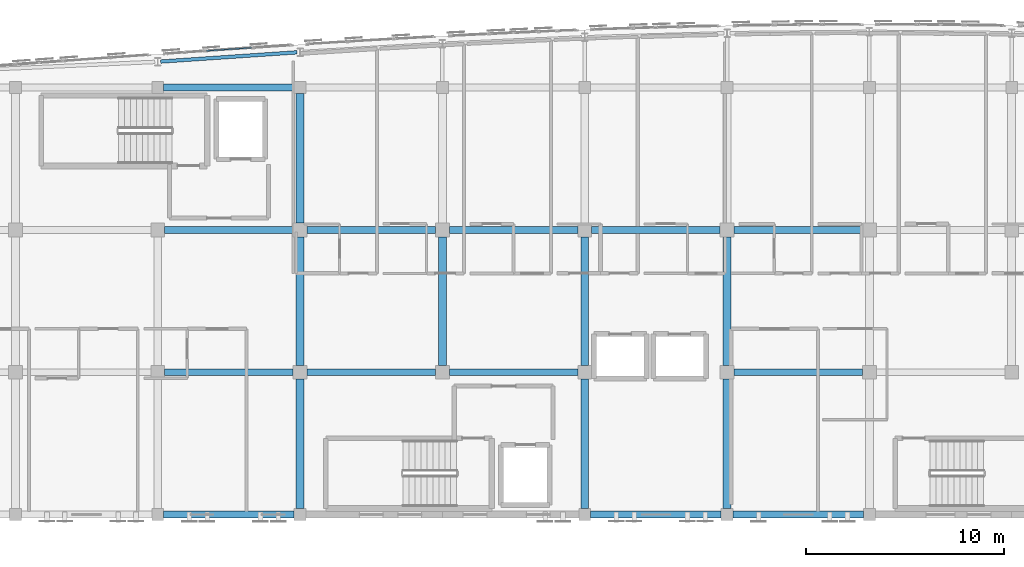
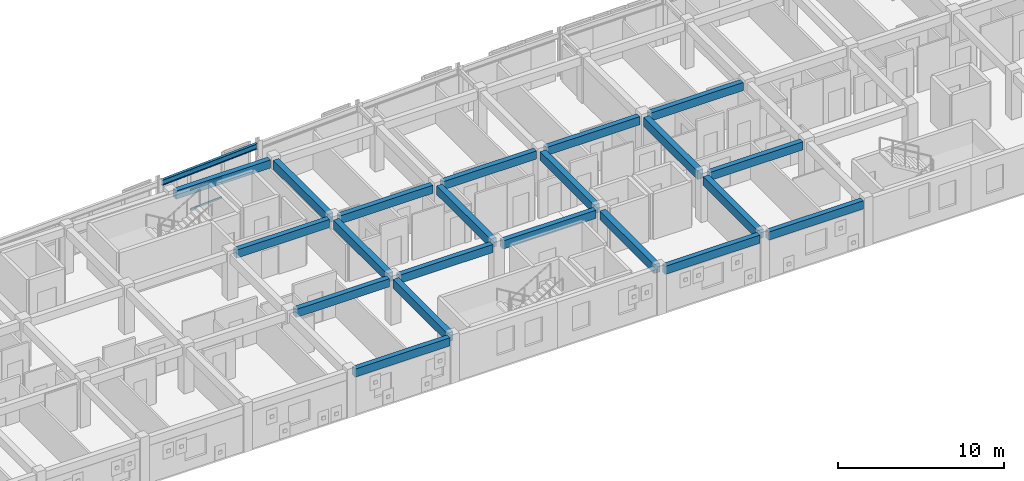
# One storey, part 10 of 48: 22 beams, 3 members, 1 element without a shape of its own.
"""IFC4 building model written with IfcOpenShell, lengths in metres."""

from ifc_helpers import new_model, si_unit, direction, frame, origin, origin_2d, place, context, subcontext, project, spatial, rectangle, hollow_rectangle, i_section, extrude, material, layer, layer_set, material_profile, profile_set, type_object, element, aggregate, save


model = new_model("IFC4")

# Units and contexts
model_context = context("Model", 3, precision=1e-05, world=origin(), true_north=direction((0.0, 1.0)))
body_context = subcontext(model_context, "Body", "Model", "MODEL_VIEW")
ifc_project = project(units=[si_unit("LENGTHUNIT", "METRE"), si_unit("AREAUNIT", "SQUARE_METRE"), si_unit("VOLUMEUNIT", "CUBIC_METRE"), si_unit("PLANEANGLEUNIT", "RADIAN"), si_unit("MASSUNIT", "GRAM", prefix="KILO")], contexts=[model_context])

# Site, building, storey
site_placement = place(None, origin())
site = spatial("IfcSite", under=ifc_project, at=site_placement, CompositionType="ELEMENT")
building_placement = place(site_placement, origin())
building = spatial("IfcBuilding", under=site, at=building_placement, Name="Carrowvane Square Congress Hotel", CompositionType="ELEMENT")
storey_placement = place(building_placement, frame((0.0, 0.0, 26.39990234375)))
storey = spatial("IfcBuildingStorey", under=building, at=storey_placement, Name="L06", CompositionType="ELEMENT", Elevation=26.39990234375)

# Beams
ifc_material_1 = material(Name="Concrete C35/45", Category="concrete")
ifc_material_profile_1 = material_profile(ifc_material_1, rectangle(XDim=0.35009765625, YDim=0.60009765625, at=origin_2d()), Name="RC 350x600")
ifc_profile_set_1 = profile_set([ifc_material_profile_1], Name="Concrete C35/45")
beam_type_1 = type_object("IfcBeamType", Name="BM-RC-350x600", PredefinedType="BEAM", material=ifc_profile_set_1)
beam_1_placement = place(storey_placement, frame((62.300048828125, 91.800048828125, 3.050048828125), z_axis=(1.0, 0.0, 0.0), x_axis=(0.0, 1.0, 0.0)))
element("IfcBeam", 1, at=beam_1_placement, inside=storey, type_object=beam_type_1, Name="L07 girder N/8-9", PredefinedType="BEAM", context=body_context, shape_type="SweptSolid", body=[
    extrude(rectangle(XDim=0.35009765625, YDim=0.60009765625, at=origin_2d()), origin(), (0.0, 0.0, 1.0), 6.599853515625),
])
beam_2_placement = place(storey_placement, frame((83.89990234375, 91.800048828125, 3.050048828125), z_axis=(1.0, 0.0, 0.0), x_axis=(0.0, 1.0, 0.0)))
element("IfcBeam", 2, at=beam_2_placement, inside=storey, type_object=beam_type_1, Name="L07 girder N/11-12", PredefinedType="BEAM", context=body_context, shape_type="SweptSolid", body=[
    extrude(rectangle(XDim=0.35009765625, YDim=0.60009765625, at=origin_2d()), origin(), (0.0, 0.0, 1.0), 6.60009765625),
])
beam_3_placement = place(storey_placement, frame((91.10009765625, 91.800048828125, 3.050048828125), z_axis=(1.0, 0.0, 0.0), x_axis=(0.0, 1.0, 0.0)))
element("IfcBeam", 3, at=beam_3_placement, inside=storey, type_object=beam_type_1, Name="L07 girder N/12-13", PredefinedType="BEAM", context=body_context, shape_type="SweptSolid", body=[
    extrude(rectangle(XDim=0.35009765625, YDim=0.60009765625, at=origin_2d()), origin(), (0.0, 0.0, 1.0), 6.599853515625),
])
for number, where, z_axis, x_axis, name in (
    (4, (62.35009765625, 99.0, 3.050048828125), (1.0, 0.0, 0.0), (0.0, 1.0, 0.0), "L07 girder P/8-9"),
    (5, (69.550048828125, 99.0, 3.050048828125), (1.0, 0.0, 0.0), (0.0, 1.0, 0.0), "L07 girder P/9-10"),
    (6, (76.75, 99.0, 3.050048828125), (1.0, 0.0, 0.0), (0.0, 1.0, 0.0), "L07 girder P/10-11"),
    (7, (91.14990234375, 99.0, 3.050048828125), (1.0, 0.0, 0.0), (0.0, 1.0, 0.0), "L07 girder P/12-13"),
    (8, (62.35009765625, 106.199951171875, 3.050048828125), (1.0, 0.0, 0.0), (0.0, 1.0, 0.0), "L07 girder Q/8-9"),
    (9, (69.550048828125, 106.199951171875, 3.050048828125), (1.0, 0.0, 0.0), (0.0, 1.0, 0.0), "L07 girder Q/9-10"),
    (10, (76.75, 106.199951171875, 3.050048828125), (1.0, 0.0, 0.0), (0.0, 1.0, 0.0), "L07 girder Q/10-11"),
    (11, (83.949951171875, 106.199951171875, 3.050048828125), (1.0, 0.0, 0.0), (0.0, 1.0, 0.0), "L07 girder Q/11-12"),
    (12, (91.14990234375, 106.199951171875, 3.050048828125), (1.0, 0.0, 0.0), (0.0, 1.0, 0.0), "L07 girder Q/12-13"),
):
    element("IfcBeam", number, at=place(storey_placement, frame(where, z_axis=z_axis, x_axis=x_axis)), inside=storey, type_object=beam_type_1, Name=name, PredefinedType="BEAM", context=body_context, shape_type="SweptSolid", body=[
        extrude(rectangle(XDim=0.35009765625, YDim=0.60009765625, at=origin_2d()), origin(), (0.0, 0.0, 1.0), 6.5),
    ])
beam_4_placement = place(storey_placement, frame((62.300048828125, 113.39990234375, 3.050048828125), z_axis=(1.0, 0.0, 0.0), x_axis=(0.0, 1.0, 0.0)))
element("IfcBeam", 13, at=beam_4_placement, inside=storey, type_object=beam_type_1, Name="L07 girder R/8-9", PredefinedType="BEAM", context=body_context, shape_type="SweptSolid", body=[
    extrude(rectangle(XDim=0.35009765625, YDim=0.60009765625, at=origin_2d()), origin(), (0.0, 0.0, 1.0), 6.599853515625),
])
ifc_material_2 = material(Name="Concrete C35/45", Category="concrete")
ifc_material_profile_2 = material_profile(ifc_material_2, rectangle(XDim=0.39990234375, YDim=0.64990234375, at=origin_2d()), Name="RC 400x650")
ifc_profile_set_2 = profile_set([ifc_material_profile_2], Name="Concrete C35/45")
beam_type_2 = type_object("IfcBeamType", Name="BM-RC-400x650", PredefinedType="BEAM", material=ifc_profile_set_2)
beam_5_placement = place(storey_placement, frame((69.199951171875, 92.10009765625, 3.025146484375), z_axis=(0.0, 1.0, 0.0), x_axis=(-1.0, 0.0, 0.0)))
element("IfcBeam", 14, at=beam_5_placement, inside=storey, type_object=beam_type_2, Name="L07 girder 9/N-P", PredefinedType="BEAM", context=body_context, shape_type="SweptSolid", body=[
    extrude(rectangle(XDim=0.39990234375, YDim=0.64990234375, at=origin_2d()), origin(), (0.0, 0.0, 1.0), 6.5498046875),
])
beam_6_placement = place(storey_placement, frame((69.199951171875, 99.35009765625, 3.025146484375), z_axis=(0.0, 1.0, 0.0), x_axis=(-1.0, 0.0, 0.0)))
element("IfcBeam", 15, at=beam_6_placement, inside=storey, type_object=beam_type_2, Name="L07 girder 9/P-Q", PredefinedType="BEAM", context=body_context, shape_type="SweptSolid", body=[
    extrude(rectangle(XDim=0.39990234375, YDim=0.64990234375, at=origin_2d()), origin(), (0.0, 0.0, 1.0), 6.5),
])
beam_7_placement = place(storey_placement, frame((69.199951171875, 106.550048828125, 3.025146484375), z_axis=(0.0, 1.0, 0.0), x_axis=(-1.0, 0.0, 0.0)))
element("IfcBeam", 16, at=beam_7_placement, inside=storey, type_object=beam_type_2, Name="L07 girder 9/Q-R", PredefinedType="BEAM", context=body_context, shape_type="SweptSolid", body=[
    extrude(rectangle(XDim=0.39990234375, YDim=0.64990234375, at=origin_2d()), origin(), (0.0, 0.0, 1.0), 6.550048828125),
])
beam_8_placement = place(storey_placement, frame((76.39990234375, 99.35009765625, 3.025146484375), z_axis=(0.0, 1.0, 0.0), x_axis=(-1.0, 0.0, 0.0)))
element("IfcBeam", 17, at=beam_8_placement, inside=storey, type_object=beam_type_2, Name="L07 girder 10/P-Q", PredefinedType="BEAM", context=body_context, shape_type="SweptSolid", body=[
    extrude(rectangle(XDim=0.39990234375, YDim=0.64990234375, at=origin_2d()), origin(), (0.0, 0.0, 1.0), 6.5),
])
beam_9_placement = place(storey_placement, frame((83.60009765625, 92.10009765625, 3.025146484375), z_axis=(0.0, 1.0, 0.0), x_axis=(-1.0, 0.0, 0.0)))
element("IfcBeam", 18, at=beam_9_placement, inside=storey, type_object=beam_type_2, Name="L07 girder 11/N-P", PredefinedType="BEAM", context=body_context, shape_type="SweptSolid", body=[
    extrude(rectangle(XDim=0.39990234375, YDim=0.64990234375, at=origin_2d()), origin(), (0.0, 0.0, 1.0), 6.5498046875),
])
beam_10_placement = place(storey_placement, frame((83.60009765625, 99.35009765625, 3.025146484375), z_axis=(0.0, 1.0, 0.0), x_axis=(-1.0, 0.0, 0.0)))
element("IfcBeam", 19, at=beam_10_placement, inside=storey, type_object=beam_type_2, Name="L07 girder 11/P-Q", PredefinedType="BEAM", context=body_context, shape_type="SweptSolid", body=[
    extrude(rectangle(XDim=0.39990234375, YDim=0.64990234375, at=origin_2d()), origin(), (0.0, 0.0, 1.0), 6.5),
])
beam_11_placement = place(storey_placement, frame((90.800048828125, 92.10009765625, 3.025146484375), z_axis=(0.0, 1.0, 0.0), x_axis=(-1.0, 0.0, 0.0)))
element("IfcBeam", 20, at=beam_11_placement, inside=storey, type_object=beam_type_2, Name="L07 girder 12/N-P", PredefinedType="BEAM", context=body_context, shape_type="SweptSolid", body=[
    extrude(rectangle(XDim=0.39990234375, YDim=0.64990234375, at=origin_2d()), origin(), (0.0, 0.0, 1.0), 6.5498046875),
])
beam_12_placement = place(storey_placement, frame((90.800048828125, 99.35009765625, 3.025146484375), z_axis=(0.0, 1.0, 0.0), x_axis=(-1.0, 0.0, 0.0)))
element("IfcBeam", 21, at=beam_12_placement, inside=storey, type_object=beam_type_2, Name="L07 girder 12/P-Q", PredefinedType="BEAM", context=body_context, shape_type="SweptSolid", body=[
    extrude(rectangle(XDim=0.39990234375, YDim=0.64990234375, at=origin_2d()), origin(), (0.0, 0.0, 1.0), 6.5),
])
ifc_material_3 = material(Name="Steel S355", Category="steel")
ifc_material_profile_3 = material_profile(ifc_material_3, i_section(OverallWidth=0.1787109375, OverallDepth=0.409423828125, WebThickness=0.0087890625, FlangeThickness=0.014404296875, FilletRadius=0.01025390625, at=origin_2d()), Name="UKB 406x178x67")
ifc_profile_set_3 = profile_set([ifc_material_profile_3], Name="Steel S355")
beam_type_3 = type_object("IfcBeamType", Name="BM-ST-UKB406", PredefinedType="BEAM", material=ifc_profile_set_3)
beam_13_placement = place(storey_placement, frame((62.149658203125, 114.716064453125, 3.1455078125), z_axis=(0.997707965639, 0.067666943928, 0.0), x_axis=(-0.067666943928, 0.997707965639, 0.0)))
element("IfcBeam", 22, at=beam_13_placement, inside=storey, type_object=beam_type_3, Name="L07 curved north spandrel", PredefinedType="BEAM", context=body_context, shape_type="SweptSolid", body=[
    extrude(i_section(OverallWidth=0.1787109375, OverallDepth=0.409423828125, WebThickness=0.0087890625, FlangeThickness=0.014404296875, FilletRadius=0.01025390625, at=origin_2d()), origin(), (0.0, 0.0, 1.0), 6.91650390625),
])

# Curtain wall, members
ifc_material_4 = material(Name="Anodised aluminium", Category="aluminium")
ifc_layer = layer(ifc_material_4, 0.162109375)
ifc_layer_set = layer_set([ifc_layer], Name="Anodised aluminium")
curtain_wall_type = type_object("IfcCurtainWallType", Name="CW-SYS-1", PredefinedType="NOTDEFINED", material=ifc_layer_set)
curtain_wall_placement = place(storey_placement, origin())
curtain_wall = element("IfcCurtainWall", 23, at=curtain_wall_placement, inside=storey, type_object=curtain_wall_type, Name="L06 unitised curtain wall 368", PredefinedType="NOTDEFINED")
ifc_material_5 = material(Name="Anodised aluminium", Category="aluminium")
ifc_material_profile_4 = material_profile(ifc_material_5, hollow_rectangle(XDim=0.06005859375, YDim=0.1298828125, WallThickness=0.00390625, at=origin_2d()), Name="CW-TR 60x130x4")
ifc_profile_set_4 = profile_set([ifc_material_profile_4], Name="Anodised aluminium")
member_type = type_object("IfcMemberType", Name="CW-TRN-1", PredefinedType="USERDEFINED", material=ifc_profile_set_4)
member_1_placement = place(storey_placement, frame((64.4599609375, 115.2578125, 0.030029296875), z_axis=(0.997696363245, 0.067837797479, 0.0), x_axis=(-0.067837797479, 0.997696363245, 0.0)))
member_1 = element("IfcMember", 24, at=member_1_placement, type_object=member_type, Name="CW-1 transom 1.1", ObjectType="TRANSOM", PredefinedType="USERDEFINED", context=body_context, shape_type="SweptSolid", body=[
    extrude(hollow_rectangle(XDim=0.06005859375, YDim=0.1298828125, WallThickness=0.00390625, at=origin_2d()), origin(), (0.0, 0.0, 1.0), 2.285400390625),
])
member_2_placement = place(storey_placement, frame((64.4599609375, 115.2578125, 1.462890625), z_axis=(0.997696363245, 0.067837797479, 0.0), x_axis=(-0.067837797479, 0.997696363245, 0.0)))
member_2 = element("IfcMember", 25, at=member_2_placement, type_object=member_type, Name="CW-1 transom 1.2", ObjectType="TRANSOM", PredefinedType="USERDEFINED", context=body_context, shape_type="SweptSolid", body=[
    extrude(hollow_rectangle(XDim=0.06005859375, YDim=0.1298828125, WallThickness=0.00390625, at=origin_2d()), origin(), (0.0, 0.0, 1.0), 2.285400390625),
])
member_3_placement = place(storey_placement, frame((64.4599609375, 115.2578125, 2.895751953125), z_axis=(0.997696363245, 0.067837797479, 0.0), x_axis=(-0.067837797479, 0.997696363245, 0.0)))
member_3 = element("IfcMember", 26, at=member_3_placement, type_object=member_type, Name="CW-1 transom 1.3", ObjectType="TRANSOM", PredefinedType="USERDEFINED", context=body_context, shape_type="SweptSolid", body=[
    extrude(hollow_rectangle(XDim=0.06005859375, YDim=0.1298828125, WallThickness=0.00390625, at=origin_2d()), origin(), (0.0, 0.0, 1.0), 2.285400390625),
])
aggregate(curtain_wall, [member_1, member_2, member_3])

save(model, "model.ifc")
